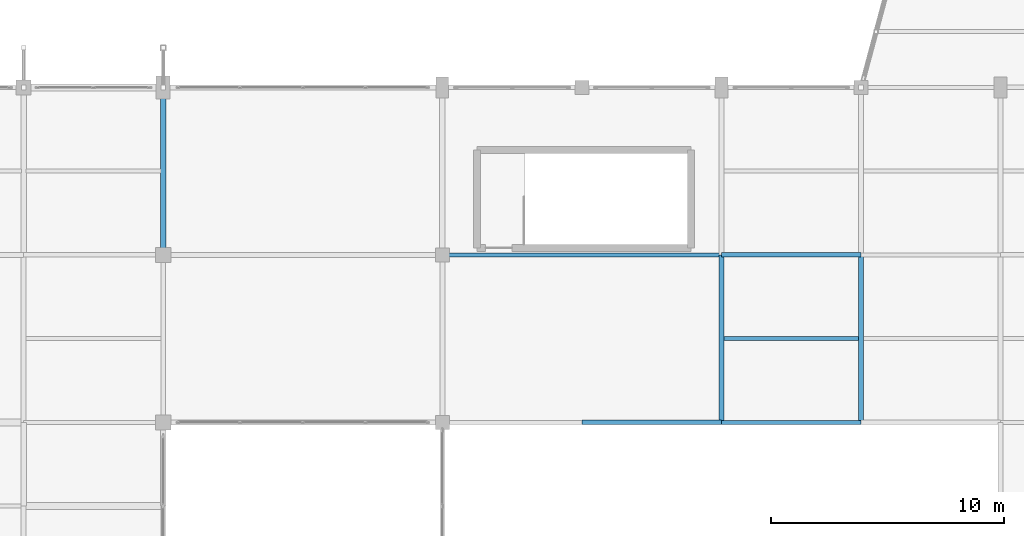
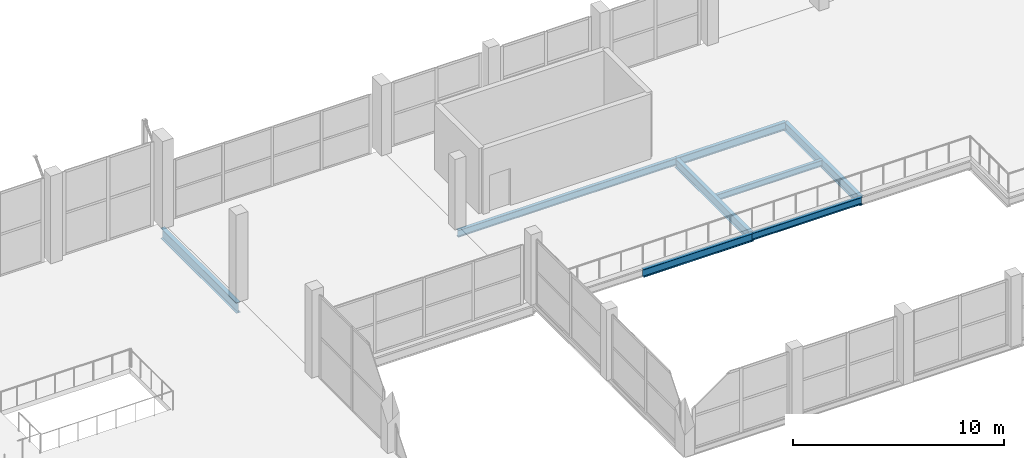
# One storey, part 65 of 127: 8 beams.
"""IFC4 building model written with IfcOpenShell, lengths in metres."""

from ifc_helpers import new_model, si_unit, direction, frame, origin, origin_2d, place, context, subcontext, project, spatial, i_section, extrude, material, material_profile, profile_set, type_object, element, save


model = new_model("IFC4")

# Units and contexts
model_context = context("Model", 3, precision=1e-05, world=origin(), true_north=direction((0.0, 1.0)))
body_context = subcontext(model_context, "Body", "Model", "MODEL_VIEW")
ifc_project = project(units=[si_unit("LENGTHUNIT", "METRE"), si_unit("AREAUNIT", "SQUARE_METRE"), si_unit("VOLUMEUNIT", "CUBIC_METRE"), si_unit("PLANEANGLEUNIT", "RADIAN"), si_unit("MASSUNIT", "GRAM", prefix="KILO")], contexts=[model_context])

# Site, building, storey
site_placement = place(None, origin())
site = spatial("IfcSite", under=ifc_project, at=site_placement, CompositionType="ELEMENT")
building_placement = place(site_placement, origin())
building = spatial("IfcBuilding", under=site, at=building_placement, Name="Dunvalen Ferry Terminal", CompositionType="ELEMENT")
storey_placement = place(building_placement, frame((0.0, 0.0, 5.760009765625)))
storey = spatial("IfcBuildingStorey", under=building, at=storey_placement, Name="L01", CompositionType="ELEMENT", Elevation=5.760009765625)

# Beams
ifc_material = material(Name="Steel S355", Category="steel")
ifc_material_profile_1 = material_profile(ifc_material, i_section(OverallWidth=0.17138671875, OverallDepth=0.35498046875, WebThickness=0.00732421875, FlangeThickness=0.011474609375, FilletRadius=0.01025390625, at=origin_2d()), Name="Steel S355")
ifc_profile_set_1 = profile_set([ifc_material_profile_1], Name="Steel S355")
beam_type_1 = type_object("IfcBeamType", Name="STR-BM-UKB356", PredefinedType="JOIST", material=ifc_profile_set_1)
beam_1_placement = place(storey_placement, frame((120.10009765625, 75.60009765625, -0.4375), z_axis=(1.0, 0.0, 0.0), x_axis=(0.0, 1.0, 0.0)))
element("IfcBeam", 1, at=beam_1_placement, inside=storey, type_object=beam_type_1, Name="L01 V2M Secondary Joist 001", PredefinedType="JOIST", context=body_context, shape_type="SweptSolid", body=[
    extrude(i_section(OverallWidth=0.17138671875, OverallDepth=0.35498046875, WebThickness=0.00732421875, FlangeThickness=0.011474609375, FilletRadius=0.01025390625, at=origin_2d()), origin(), (0.0, 0.0, 1.0), 5.7998046875),
])
ifc_material_profile_2 = material_profile(ifc_material, i_section(OverallWidth=0.177978515625, OverallDepth=0.406494140625, WebThickness=0.0078125, FlangeThickness=0.0126953125, FilletRadius=0.01025390625, at=origin_2d()), Name="Steel S355")
ifc_profile_set_2 = profile_set([ifc_material_profile_2], Name="Steel S355")
beam_type_2 = type_object("IfcBeamType", Name="STR-BM-UKB406", PredefinedType="JOIST", material=ifc_profile_set_2)
beam_2_placement = place(storey_placement, frame((120.0, 72.0, -0.463134765625), z_axis=(1.0, 0.0, 0.0), x_axis=(0.0, 1.0, 0.0)))
element("IfcBeam", 2, at=beam_2_placement, inside=storey, type_object=beam_type_2, Name="L01 V2M Primary Beam X-017", PredefinedType="JOIST", context=body_context, shape_type="SweptSolid", body=[
    extrude(i_section(OverallWidth=0.177978515625, OverallDepth=0.406494140625, WebThickness=0.0078125, FlangeThickness=0.0126953125, FilletRadius=0.01025390625, at=origin_2d()), origin(), (0.0, 0.0, 1.0), 6.0),
])
beam_3_placement = place(storey_placement, frame((108.0, 79.199951171875, -0.463134765625), z_axis=(1.0, 0.0, 0.0), x_axis=(0.0, 1.0, 0.0)))
element("IfcBeam", 3, at=beam_3_placement, inside=storey, type_object=beam_type_2, Name="L01 V2M Primary Beam X-025", PredefinedType="JOIST", context=body_context, shape_type="SweptSolid", body=[
    extrude(i_section(OverallWidth=0.177978515625, OverallDepth=0.406494140625, WebThickness=0.0078125, FlangeThickness=0.0126953125, FilletRadius=0.01025390625, at=origin_2d()), origin(), (0.0, 0.0, 1.0), 12.0),
])
ifc_material_profile_3 = material_profile(ifc_material, i_section(OverallWidth=0.1904296875, OverallDepth=0.45703125, WebThickness=0.009033203125, FlangeThickness=0.014404296875, FilletRadius=0.01025390625, at=origin_2d()), Name="Steel S355")
ifc_profile_set_3 = profile_set([ifc_material_profile_3], Name="Steel S355")
beam_type_3 = type_object("IfcBeamType", Name="STR-BM-UKB457", PredefinedType="BEAM", material=ifc_profile_set_3)
for number, where, z_axis, x_axis, name in (
    (4, (114.0, 72.0, -0.488525390625), (1.0, 0.0, 0.0), (0.0, 1.0, 0.0), "L01 V2M Primary Beam X-016"),
    (5, (120.0, 79.199951171875, -0.488525390625), (1.0, 0.0, 0.0), (0.0, 1.0, 0.0), "L01 V2M Primary Beam X-026"),
):
    element("IfcBeam", number, at=place(storey_placement, frame(where, z_axis=z_axis, x_axis=x_axis)), inside=storey, type_object=beam_type_3, Name=name, PredefinedType="BEAM", context=body_context, shape_type="SweptSolid", body=[
        extrude(i_section(OverallWidth=0.1904296875, OverallDepth=0.45703125, WebThickness=0.009033203125, FlangeThickness=0.014404296875, FilletRadius=0.01025390625, at=origin_2d()), origin(), (0.0, 0.0, 1.0), 6.0),
    ])
ifc_material_profile_4 = material_profile(ifc_material, i_section(OverallWidth=0.209228515625, OverallDepth=0.533203125, WebThickness=0.010009765625, FlangeThickness=0.015625, FilletRadius=0.0126953125, at=origin_2d()), Name="Steel S355")
ifc_profile_set_4 = profile_set([ifc_material_profile_4], Name="Steel S355")
beam_type_4 = type_object("IfcBeamType", Name="STR-BM-UKB533", PredefinedType="BEAM", material=ifc_profile_set_4)
for number, where, z_axis, x_axis, name in (
    (6, (120.0, 72.0, -0.526611328125), (0.0, 1.0, 0.0), (-1.0, 0.0, 0.0), "L01 V2M Primary Girder Y-046"),
    (7, (126.0, 72.0, -0.526611328125), (0.0, 1.0, 0.0), (-1.0, 0.0, 0.0), "L01 V2M Primary Girder Y-048"),
):
    element("IfcBeam", number, at=place(storey_placement, frame(where, z_axis=z_axis, x_axis=x_axis)), inside=storey, type_object=beam_type_4, Name=name, PredefinedType="BEAM", context=body_context, shape_type="SweptSolid", body=[
        extrude(i_section(OverallWidth=0.209228515625, OverallDepth=0.533203125, WebThickness=0.010009765625, FlangeThickness=0.015625, FilletRadius=0.0126953125, at=origin_2d()), origin(), (0.0, 0.0, 1.0), 7.199951171875),
    ])
ifc_material_profile_5 = material_profile(ifc_material, i_section(OverallWidth=0.228271484375, OverallDepth=0.607666015625, WebThickness=0.010986328125, FlangeThickness=0.017333984375, FilletRadius=0.0126953125, at=origin_2d()), Name="Steel S355")
ifc_profile_set_5 = profile_set([ifc_material_profile_5], Name="Steel S355")
beam_type_5 = type_object("IfcBeamType", Name="STR-BM-UKB610", PredefinedType="BEAM", material=ifc_profile_set_5)
beam_4_placement = place(storey_placement, frame((96.0, 79.199951171875, -0.583740234375), z_axis=(0.0, 1.0, 0.0), x_axis=(-1.0, 0.0, 0.0)))
element("IfcBeam", 8, at=beam_4_placement, inside=storey, type_object=beam_type_5, Name="L01 V1M Primary Girder Y-144", PredefinedType="BEAM", context=body_context, shape_type="SweptSolid", body=[
    extrude(i_section(OverallWidth=0.228271484375, OverallDepth=0.607666015625, WebThickness=0.010986328125, FlangeThickness=0.017333984375, FilletRadius=0.0126953125, at=origin_2d()), origin(), (0.0, 0.0, 1.0), 7.199951171875),
])

save(model, "model.ifc")
